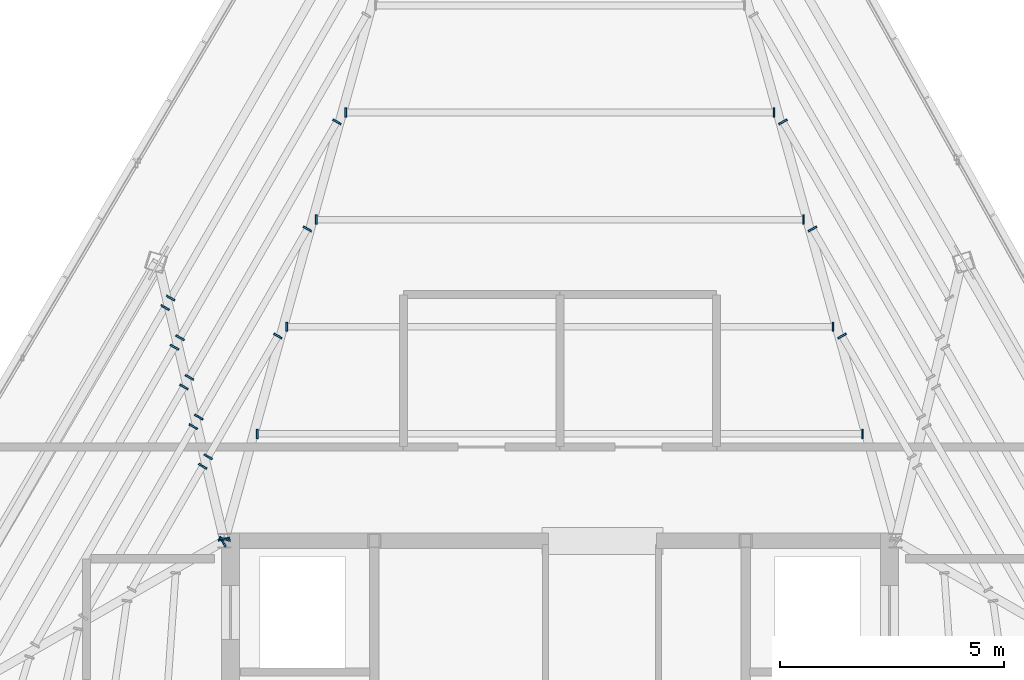
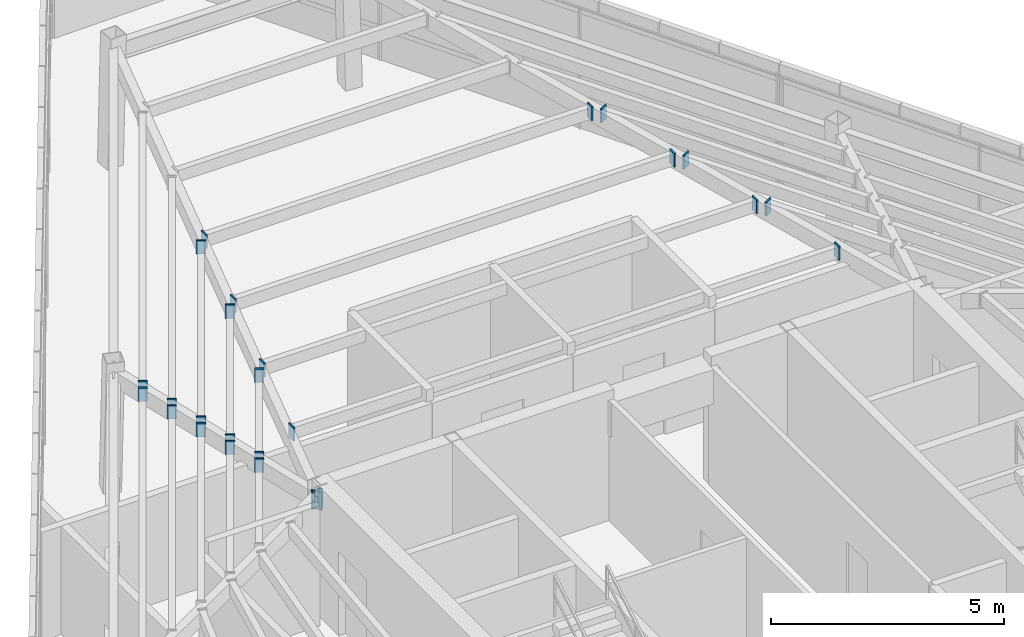
# One storey, part 40 of 47: 27 plates.
"""IFC4 building model written with IfcOpenShell, lengths in metres."""

from ifc_helpers import new_model, si_unit, direction, frame, origin, origin_2d, place, context, subcontext, project, spatial, rectangle, extrude, source, transform, mapped, material, layer, layer_set, type_object, type_shapes, element, save


model = new_model("IFC4")

# Units and contexts
model_context = context("Model", 3, precision=1e-05, world=origin(), true_north=direction((0.0, 1.0)))
body_context = subcontext(model_context, "Body", "Model", "MODEL_VIEW")
ifc_project = project(units=[si_unit("LENGTHUNIT", "METRE"), si_unit("AREAUNIT", "SQUARE_METRE"), si_unit("VOLUMEUNIT", "CUBIC_METRE"), si_unit("PLANEANGLEUNIT", "RADIAN"), si_unit("MASSUNIT", "GRAM", prefix="KILO")], contexts=[model_context])

# Site, building, storey
site_placement = place(None, origin())
site = spatial("IfcSite", under=ifc_project, at=site_placement, CompositionType="ELEMENT")
building_placement = place(site_placement, origin())
building = spatial("IfcBuilding", under=site, at=building_placement, Name="Caelisora Broadcast Tower", CompositionType="ELEMENT")
storey_placement = place(building_placement, frame((0.0, 0.0, 293.199951171875)))
storey = spatial("IfcBuildingStorey", under=building, at=storey_placement, Name="L77", CompositionType="ELEMENT", Elevation=293.199951171875)

# Plates
ifc_material = material(Name="Steel Grade 350 L15 (AS/NZS 3678)", Category="steel")
ifc_layer = layer(ifc_material, 0.0400390625, Name="Steel Grade 350 L15 (AS/NZS 3678)")
ifc_layer_set = layer_set([ifc_layer], Name="Steel Grade 350 L15 (AS/NZS 3678)")
plate_type = type_object("IfcPlateType", Name="GP04", PredefinedType="USERDEFINED", material=ifc_layer_set)
shared_shape_1 = source(origin(), body_context, "Body", "SweptSolid", [
    extrude(rectangle(XDim=0.260009765625, YDim=0.0400390625, at=origin_2d()), origin(), (0.0, 0.0, 1.0), 0.4599609375),
])
for number, where, z_axis, x_axis, name in (
    (1, (30.510498046875, 30.03857421875, 2.719970703125), (0.0, 0.0, 1.0), (-0.964049041264, 0.265724379832, 0.0), "L77 gusset plate GP04 (ND-RAD-L77-02)"),
    (2, (30.49072265625, 30.038818359375, 2.719970703125), (0.0, 0.0, 1.0), (-0.973058285621, -0.230559260896, 0.0), "L77 gusset plate GP04 (ND-RAD-L77-03)"),
    (3, (30.46533203125, 29.97998046875, 2.719970703125), (0.0, 0.0, 1.0), (0.497579654441, -0.867418288651, 0.0), "L77 gusset plate GP04 (ND-RAD-L77-04)"),
):
    element("IfcPlate", number, at=place(storey_placement, frame(where, z_axis=z_axis, x_axis=x_axis)), inside=storey, type_object=plate_type, Name=name, ObjectType="GUSSET PLATE", PredefinedType="USERDEFINED", context=body_context, shape_type="MappedRepresentation", body=[
        mapped(shared_shape_1, transform((0.0, 0.0, 0.0), scale=1.0)),
    ])
shared_shape_2 = source(origin(), body_context, "Body", "SweptSolid", [
    extrude(rectangle(XDim=0.2099609375, YDim=0.0400390625, at=origin_2d()), origin(), (0.0, 0.0, 1.0), 0.360107421875),
])
type_shapes(plate_type, [shared_shape_1, shared_shape_2])
for number, where, z_axis, x_axis, name in (
    (4, (44.760009765625, 32.39208984375, 2.81982421875), (0.0, 0.0, 1.0), (0.0, -1.0, 0.0), "L77 gusset plate GP04 (ND-SB-L77-001A)"),
    (5, (31.239990234375, 32.39208984375, 2.81982421875), (0.0, 0.0, 1.0), (0.0, -1.0, 0.0), "L77 gusset plate GP04 (ND-SB-L77-001B)"),
    (6, (44.100830078125, 34.784423828125, 2.81982421875), (0.0, 0.0, 1.0), (0.0, -1.0, 0.0), "L77 gusset plate GP04 (ND-SB-L77-002A)"),
    (7, (31.899169921875, 34.784423828125, 2.81982421875), (0.0, 0.0, 1.0), (0.0, -1.0, 0.0), "L77 gusset plate GP04 (ND-SB-L77-002B)"),
    (8, (43.441650390625, 37.176513671875, 2.81982421875), (0.0, 0.0, 1.0), (0.0, -1.0, 0.0), "L77 gusset plate GP04 (ND-SB-L77-003A)"),
    (9, (32.558349609375, 37.176513671875, 2.81982421875), (0.0, 0.0, 1.0), (0.0, -1.0, 0.0), "L77 gusset plate GP04 (ND-SB-L77-003B)"),
    (10, (42.78271484375, 39.56884765625, 2.81982421875), (0.0, 0.0, 1.0), (0.0, -1.0, 0.0), "L77 gusset plate GP04 (ND-SB-L77-004A)"),
    (11, (33.21728515625, 39.56884765625, 2.81982421875), (0.0, 0.0, 1.0), (0.0, -1.0, 0.0), "L77 gusset plate GP04 (ND-SB-L77-004B)"),
    (12, (31.6982421875, 34.576416015625, 2.81982421875), (0.0, 0.0, 1.0), (0.866025403784, -0.5, 0.0), "L77 gusset plate GP04 (ND-SB-L77-007A)"),
    (13, (30.14111328125, 31.87939453125, 2.81982421875), (0.0, 0.0, 1.0), (0.866025403784, -0.5, 0.0), "L77 gusset plate GP04 (ND-SB-L77-007B)"),
    (14, (32.357421875, 36.968505859375, 2.81982421875), (0.0, 0.0, 1.0), (0.866025403784, -0.5, 0.0), "L77 gusset plate GP04 (ND-SB-L77-008A)"),
    (15, (29.930908203125, 32.765869140625, 2.81982421875), (0.0, 0.0, 1.0), (0.866025403784, -0.5, 0.0), "L77 gusset plate GP04 (ND-SB-L77-008B)"),
    (16, (33.0166015625, 39.36083984375, 2.81982421875), (0.0, 0.0, 1.0), (0.866025403784, -0.5, 0.0), "L77 gusset plate GP04 (ND-SB-L77-009A)"),
    (17, (29.720947265625, 33.65234375, 2.81982421875), (0.0, 0.0, 1.0), (0.866025403784, -0.5, 0.0), "L77 gusset plate GP04 (ND-SB-L77-009B)"),
    (18, (29.5107421875, 34.538818359375, 2.81982421875), (0.0, 0.0, 1.0), (0.866025403784, -0.5, 0.0), "L77 gusset plate GP04 (ND-SB-L77-010B)"),
    (19, (29.30078125, 35.42529296875, 2.81982421875), (0.0, 0.0, 1.0), (0.866025403784, -0.5, 0.0), "L77 gusset plate GP04 (ND-SB-L77-011B)"),
    (20, (30.018310546875, 31.666748046875, 2.81982421875), (0.0, 0.0, 1.0), (0.866025403784, -0.5, 0.0), "L77 gusset plate GP04 (ND-SB-L77-012A)"),
    (21, (29.808349609375, 32.55322265625, 2.81982421875), (0.0, 0.0, 1.0), (0.866025403784, -0.5, 0.0), "L77 gusset plate GP04 (ND-SB-L77-013A)"),
    (22, (29.59814453125, 33.43994140625, 2.81982421875), (0.0, 0.0, 1.0), (0.866025403784, -0.5, 0.0), "L77 gusset plate GP04 (ND-SB-L77-014A)"),
    (23, (29.38818359375, 34.326416015625, 2.81982421875), (0.0, 0.0, 1.0), (0.866025403784, -0.5, 0.0), "L77 gusset plate GP04 (ND-SB-L77-015A)"),
    (24, (29.177978515625, 35.212890625, 2.81982421875), (0.0, 0.0, 1.0), (0.866025403784, -0.5, 0.0), "L77 gusset plate GP04 (ND-SB-L77-016A)"),
    (25, (44.3017578125, 34.576416015625, 2.81982421875), (0.0, 0.0, 1.0), (-0.866025403784, -0.5, 0.0), "L77 gusset plate GP04 (ND-SB-L77-056B)"),
    (26, (43.642578125, 36.968505859375, 2.81982421875), (0.0, 0.0, 1.0), (-0.866025403784, -0.5, 0.0), "L77 gusset plate GP04 (ND-SB-L77-057B)"),
    (27, (42.9833984375, 39.36083984375, 2.81982421875), (0.0, 0.0, 1.0), (-0.866025403784, -0.5, 0.0), "L77 gusset plate GP04 (ND-SB-L77-058B)"),
):
    element("IfcPlate", number, at=place(storey_placement, frame(where, z_axis=z_axis, x_axis=x_axis)), inside=storey, type_object=plate_type, Name=name, ObjectType="GUSSET PLATE", PredefinedType="USERDEFINED", context=body_context, shape_type="MappedRepresentation", body=[
        mapped(shared_shape_2, transform((0.0, 0.0, 0.0), scale=1.0)),
    ])

save(model, "model.ifc")
